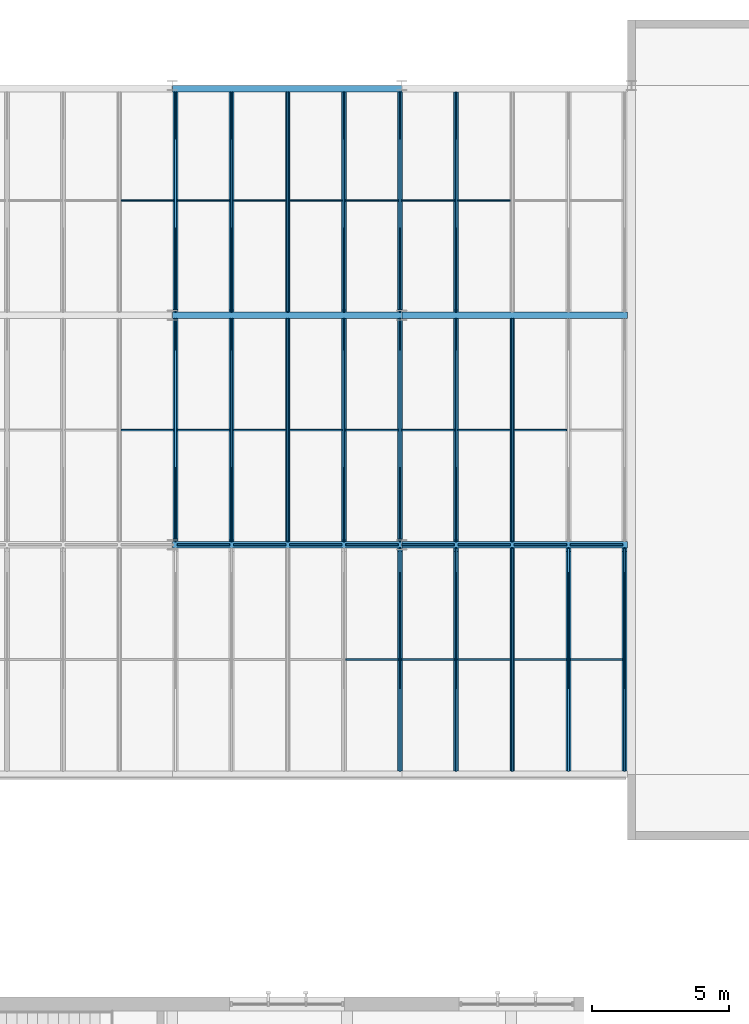
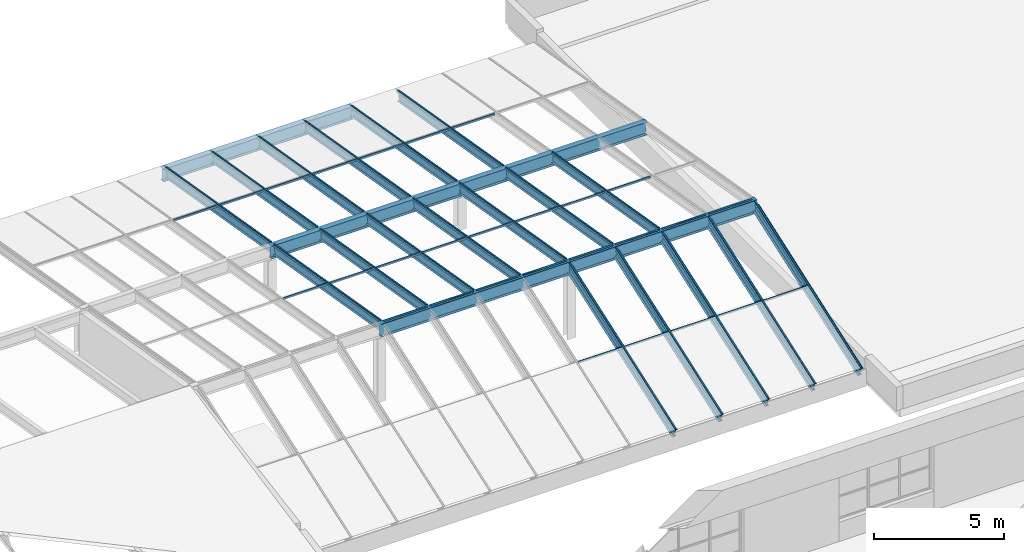
# One storey, part 27 of 60: 46 members, 23 beams, 2 elements without a shape of their own.
"""IFC4 building model written with IfcOpenShell, lengths in metres."""

from ifc_helpers import new_model, si_unit, direction, frame, origin, origin_2d, place, context, subcontext, project, spatial, rectangle, i_section, extrude, material, material_profile, profile_set, type_object, element, aggregate, save


model = new_model("IFC4")

# Units and contexts
model_context = context("Model", 3, precision=1e-05, world=origin(), true_north=direction((0.0, 1.0)))
body_context = subcontext(model_context, "Body", "Model", "MODEL_VIEW")
ifc_project = project(units=[si_unit("LENGTHUNIT", "METRE"), si_unit("AREAUNIT", "SQUARE_METRE"), si_unit("VOLUMEUNIT", "CUBIC_METRE"), si_unit("PLANEANGLEUNIT", "RADIAN"), si_unit("MASSUNIT", "GRAM", prefix="KILO")], contexts=[model_context])

# Site, building, storey
site_placement = place(None, origin())
site = spatial("IfcSite", under=ifc_project, at=site_placement, CompositionType="ELEMENT")
building_placement = place(site_placement, origin())
building = spatial("IfcBuilding", under=site, at=building_placement, Name="Ljudholm Concert House", CompositionType="ELEMENT")
storey_placement = place(building_placement, frame((0.0, 0.0, 15.0)))
storey = spatial("IfcBuildingStorey", under=building, at=storey_placement, Name="L03", CompositionType="ELEMENT", Elevation=15.0)

# Curtain wall, members
ifc_material_1 = material(Name="Aluminium roof glazing with impact-rated laminated glass", Category="aluminium")
curtain_wall_type = type_object("IfcCurtainWallType", Name="GLAZED LANTERN ROOF", PredefinedType="NOTDEFINED", material=ifc_material_1)
curtain_wall_1_placement = place(storey_placement, origin())
curtain_wall_1 = element("IfcCurtainWall", 1, at=curtain_wall_1_placement, inside=storey, type_object=curtain_wall_type, Name="Glazed lantern roof", PredefinedType="NOTDEFINED")
ifc_material_2 = material(Name="Aluminium extrusion", Category="aluminium")
ifc_material_profile_1 = material_profile(ifc_material_2, rectangle(XDim=0.06005859375, YDim=0.05810546875, at=origin_2d()), Name="LANTERN GLAZING BAR 60x58")
ifc_profile_set_1 = profile_set([ifc_material_profile_1], Name="Aluminium extrusion")
member_type_1 = type_object("IfcMemberType", Name="LANTERN GLAZING BAR 60x58", PredefinedType="MULLION", material=ifc_profile_set_1)
member_1_placement = place(storey_placement, frame((45.933349609375, 104.919921875, 0.681640625), z_axis=(0.0, 0.943155877685, 0.332350703907), x_axis=(-1.0, 0.0, 0.0)))
member_1 = element("IfcMember", 2, at=member_1_placement, type_object=member_type_1, Name="Glazing bar", PredefinedType="MULLION", context=body_context, shape_type="SweptSolid", body=[
    extrude(rectangle(XDim=0.06005859375, YDim=0.05810546875, at=origin_2d()), origin(), (0.0, 0.0, 1.0), 8.65185546875),
])
member_2_placement = place(storey_placement, frame((47.987548828125, 104.919921875, 0.681640625), z_axis=(0.0, 0.943155877685, 0.332350703907), x_axis=(-1.0, 0.0, 0.0)))
member_2 = element("IfcMember", 3, at=member_2_placement, type_object=member_type_1, Name="Glazing bar", PredefinedType="MULLION", context=body_context, shape_type="SweptSolid", body=[
    extrude(rectangle(XDim=0.06005859375, YDim=0.05810546875, at=origin_2d()), origin(), (0.0, 0.0, 1.0), 8.65185546875),
])
member_3_placement = place(storey_placement, frame((50.041748046875, 104.919921875, 0.681640625), z_axis=(0.0, 0.943155877685, 0.332350703907), x_axis=(-1.0, 0.0, 0.0)))
member_3 = element("IfcMember", 4, at=member_3_placement, type_object=member_type_1, Name="Glazing bar", PredefinedType="MULLION", context=body_context, shape_type="SweptSolid", body=[
    extrude(rectangle(XDim=0.06005859375, YDim=0.05810546875, at=origin_2d()), origin(), (0.0, 0.0, 1.0), 8.65185546875),
])
member_4_placement = place(storey_placement, frame((52.095947265625, 104.919921875, 0.681640625), z_axis=(0.0, 0.943155877685, 0.332350703907), x_axis=(-1.0, 0.0, 0.0)))
member_4 = element("IfcMember", 5, at=member_4_placement, type_object=member_type_1, Name="Glazing bar", PredefinedType="MULLION", context=body_context, shape_type="SweptSolid", body=[
    extrude(rectangle(XDim=0.06005859375, YDim=0.05810546875, at=origin_2d()), origin(), (0.0, 0.0, 1.0), 8.65185546875),
])
member_5_placement = place(storey_placement, frame((54.14990234375, 104.919921875, 0.681640625), z_axis=(0.0, 0.943155877685, 0.332350703907), x_axis=(-1.0, 0.0, 0.0)))
member_5 = element("IfcMember", 6, at=member_5_placement, type_object=member_type_1, Name="Glazing bar", PredefinedType="MULLION", context=body_context, shape_type="SweptSolid", body=[
    extrude(rectangle(XDim=0.06005859375, YDim=0.05810546875, at=origin_2d()), origin(), (0.0, 0.0, 1.0), 8.65185546875),
])

curtain_wall_2_placement = place(storey_placement, origin())
curtain_wall_2 = element("IfcCurtainWall", 7, at=curtain_wall_2_placement, inside=storey, type_object=curtain_wall_type, Name="Glazed lantern roof", PredefinedType="NOTDEFINED")
member_6_placement = place(storey_placement, frame((37.716552734375, 113.320068359375, 3.580078125), z_axis=(0.0, 0.985738215481, -0.168285978444), x_axis=(-1.0, 0.0, 0.0)))
member_6 = element("IfcMember", 8, at=member_6_placement, type_object=member_type_1, Name="Glazing bar", PredefinedType="MULLION", context=body_context, shape_type="SweptSolid", body=[
    extrude(rectangle(XDim=0.06005859375, YDim=0.05810546875, at=origin_2d()), origin(), (0.0, 0.0, 1.0), 8.278076171875),
])
member_7_placement = place(storey_placement, frame((39.770751953125, 113.320068359375, 3.580078125), z_axis=(0.0, 0.985738215481, -0.168285978444), x_axis=(-1.0, 0.0, 0.0)))
member_7 = element("IfcMember", 9, at=member_7_placement, type_object=member_type_1, Name="Glazing bar", PredefinedType="MULLION", context=body_context, shape_type="SweptSolid", body=[
    extrude(rectangle(XDim=0.06005859375, YDim=0.05810546875, at=origin_2d()), origin(), (0.0, 0.0, 1.0), 8.278076171875),
])
member_8_placement = place(storey_placement, frame((41.824951171875, 113.320068359375, 3.580078125), z_axis=(0.0, 0.985738215481, -0.168285978444), x_axis=(-1.0, 0.0, 0.0)))
member_8 = element("IfcMember", 10, at=member_8_placement, type_object=member_type_1, Name="Glazing bar", PredefinedType="MULLION", context=body_context, shape_type="SweptSolid", body=[
    extrude(rectangle(XDim=0.06005859375, YDim=0.05810546875, at=origin_2d()), origin(), (0.0, 0.0, 1.0), 8.278076171875),
])
member_9_placement = place(storey_placement, frame((43.879150390625, 113.320068359375, 3.580078125), z_axis=(0.0, 0.985738215481, -0.168285978444), x_axis=(-1.0, 0.0, 0.0)))
member_9 = element("IfcMember", 11, at=member_9_placement, type_object=member_type_1, Name="Glazing bar", PredefinedType="MULLION", context=body_context, shape_type="SweptSolid", body=[
    extrude(rectangle(XDim=0.06005859375, YDim=0.05810546875, at=origin_2d()), origin(), (0.0, 0.0, 1.0), 8.278076171875),
])
member_10_placement = place(storey_placement, frame((45.933349609375, 113.320068359375, 3.580078125), z_axis=(0.0, 0.985738215481, -0.168285978444), x_axis=(-1.0, 0.0, 0.0)))
member_10 = element("IfcMember", 12, at=member_10_placement, type_object=member_type_1, Name="Glazing bar", PredefinedType="MULLION", context=body_context, shape_type="SweptSolid", body=[
    extrude(rectangle(XDim=0.06005859375, YDim=0.05810546875, at=origin_2d()), origin(), (0.0, 0.0, 1.0), 8.278076171875),
])
member_11_placement = place(storey_placement, frame((47.987548828125, 113.320068359375, 3.580078125), z_axis=(0.0, 0.985738215481, -0.168285978444), x_axis=(-1.0, 0.0, 0.0)))
member_11 = element("IfcMember", 13, at=member_11_placement, type_object=member_type_1, Name="Glazing bar", PredefinedType="MULLION", context=body_context, shape_type="SweptSolid", body=[
    extrude(rectangle(XDim=0.06005859375, YDim=0.05810546875, at=origin_2d()), origin(), (0.0, 0.0, 1.0), 8.278076171875),
])
member_12_placement = place(storey_placement, frame((50.041748046875, 113.320068359375, 3.580078125), z_axis=(0.0, 0.985738215481, -0.168285978444), x_axis=(-1.0, 0.0, 0.0)))
member_12 = element("IfcMember", 14, at=member_12_placement, type_object=member_type_1, Name="Glazing bar", PredefinedType="MULLION", context=body_context, shape_type="SweptSolid", body=[
    extrude(rectangle(XDim=0.06005859375, YDim=0.05810546875, at=origin_2d()), origin(), (0.0, 0.0, 1.0), 8.278076171875),
])
member_13_placement = place(storey_placement, frame((37.716552734375, 121.719970703125, 2.14599609375), z_axis=(0.0, 0.985741145728, -0.168268813569), x_axis=(-1.0, 0.0, 0.0)))
member_13 = element("IfcMember", 15, at=member_13_placement, type_object=member_type_1, Name="Glazing bar", PredefinedType="MULLION", context=body_context, shape_type="SweptSolid", body=[
    extrude(rectangle(XDim=0.06005859375, YDim=0.05810546875, at=origin_2d()), origin(), (0.0, 0.0, 1.0), 8.161376953125),
])
member_14_placement = place(storey_placement, frame((39.770751953125, 121.719970703125, 2.14599609375), z_axis=(0.0, 0.985741145728, -0.168268813569), x_axis=(-1.0, 0.0, 0.0)))
member_14 = element("IfcMember", 16, at=member_14_placement, type_object=member_type_1, Name="Glazing bar", PredefinedType="MULLION", context=body_context, shape_type="SweptSolid", body=[
    extrude(rectangle(XDim=0.06005859375, YDim=0.05810546875, at=origin_2d()), origin(), (0.0, 0.0, 1.0), 8.161376953125),
])
member_15_placement = place(storey_placement, frame((41.824951171875, 121.719970703125, 2.14599609375), z_axis=(0.0, 0.985741145728, -0.168268813569), x_axis=(-1.0, 0.0, 0.0)))
member_15 = element("IfcMember", 17, at=member_15_placement, type_object=member_type_1, Name="Glazing bar", PredefinedType="MULLION", context=body_context, shape_type="SweptSolid", body=[
    extrude(rectangle(XDim=0.06005859375, YDim=0.05810546875, at=origin_2d()), origin(), (0.0, 0.0, 1.0), 8.161376953125),
])
member_16_placement = place(storey_placement, frame((43.879150390625, 121.719970703125, 2.14599609375), z_axis=(0.0, 0.985741145728, -0.168268813569), x_axis=(-1.0, 0.0, 0.0)))
member_16 = element("IfcMember", 18, at=member_16_placement, type_object=member_type_1, Name="Glazing bar", PredefinedType="MULLION", context=body_context, shape_type="SweptSolid", body=[
    extrude(rectangle(XDim=0.06005859375, YDim=0.05810546875, at=origin_2d()), origin(), (0.0, 0.0, 1.0), 8.161376953125),
])
member_17_placement = place(storey_placement, frame((45.933349609375, 121.719970703125, 2.14599609375), z_axis=(0.0, 0.985741145728, -0.168268813569), x_axis=(-1.0, 0.0, 0.0)))
member_17 = element("IfcMember", 19, at=member_17_placement, type_object=member_type_1, Name="Glazing bar", PredefinedType="MULLION", context=body_context, shape_type="SweptSolid", body=[
    extrude(rectangle(XDim=0.06005859375, YDim=0.05810546875, at=origin_2d()), origin(), (0.0, 0.0, 1.0), 8.161376953125),
])
member_18_placement = place(storey_placement, frame((47.987548828125, 121.719970703125, 2.14599609375), z_axis=(0.0, 0.985741145728, -0.168268813569), x_axis=(-1.0, 0.0, 0.0)))
member_18 = element("IfcMember", 20, at=member_18_placement, type_object=member_type_1, Name="Glazing bar", PredefinedType="MULLION", context=body_context, shape_type="SweptSolid", body=[
    extrude(rectangle(XDim=0.06005859375, YDim=0.05810546875, at=origin_2d()), origin(), (0.0, 0.0, 1.0), 8.161376953125),
])
ifc_material_3 = material(Name="Aluminium extrusion", Category="aluminium")
ifc_material_profile_2 = material_profile(ifc_material_3, rectangle(XDim=0.06005859375, YDim=0.030029296875, at=origin_2d()), Name="LANTERN RIDGE CAP 60x30")
ifc_profile_set_2 = profile_set([ifc_material_profile_2], Name="Aluminium extrusion")
member_type_2 = type_object("IfcMemberType", Name="LANTERN RIDGE CAP 60x30", PredefinedType="USERDEFINED", material=ifc_profile_set_2)
member_19_placement = place(storey_placement, frame((37.787109375, 113.199951171875, 3.5830078125), z_axis=(1.0, 0.0, 0.0), x_axis=(0.0, 1.0, 0.0)))
member_19 = element("IfcMember", 21, at=member_19_placement, type_object=member_type_2, Name="Lantern ridge cap", ObjectType="TRANSOM", PredefinedType="USERDEFINED", context=body_context, shape_type="SweptSolid", body=[
    extrude(rectangle(XDim=0.06005859375, YDim=0.030029296875, at=origin_2d()), origin(), (0.0, 0.0, 1.0), 1.913330078125),
])
member_20_placement = place(storey_placement, frame((39.84130859375, 113.199951171875, 3.5830078125), z_axis=(1.0, 0.0, 0.0), x_axis=(0.0, 1.0, 0.0)))
member_20 = element("IfcMember", 22, at=member_20_placement, type_object=member_type_2, Name="Lantern ridge cap", ObjectType="TRANSOM", PredefinedType="USERDEFINED", context=body_context, shape_type="SweptSolid", body=[
    extrude(rectangle(XDim=0.06005859375, YDim=0.030029296875, at=origin_2d()), origin(), (0.0, 0.0, 1.0), 1.9130859375),
])
member_21_placement = place(storey_placement, frame((41.8955078125, 113.199951171875, 3.5830078125), z_axis=(1.0, 0.0, 0.0), x_axis=(0.0, 1.0, 0.0)))
member_21 = element("IfcMember", 23, at=member_21_placement, type_object=member_type_2, Name="Lantern ridge cap", ObjectType="TRANSOM", PredefinedType="USERDEFINED", context=body_context, shape_type="SweptSolid", body=[
    extrude(rectangle(XDim=0.06005859375, YDim=0.030029296875, at=origin_2d()), origin(), (0.0, 0.0, 1.0), 1.9130859375),
])
member_22_placement = place(storey_placement, frame((43.94970703125, 113.199951171875, 3.5830078125), z_axis=(1.0, 0.0, 0.0), x_axis=(0.0, 1.0, 0.0)))
member_22 = element("IfcMember", 24, at=member_22_placement, type_object=member_type_2, Name="Lantern ridge cap", ObjectType="TRANSOM", PredefinedType="USERDEFINED", context=body_context, shape_type="SweptSolid", body=[
    extrude(rectangle(XDim=0.06005859375, YDim=0.030029296875, at=origin_2d()), origin(), (0.0, 0.0, 1.0), 1.9130859375),
])
member_23_placement = place(storey_placement, frame((46.00390625, 113.199951171875, 3.5830078125), z_axis=(1.0, 0.0, 0.0), x_axis=(0.0, 1.0, 0.0)))
member_23 = element("IfcMember", 25, at=member_23_placement, type_object=member_type_2, Name="Lantern ridge cap", ObjectType="TRANSOM", PredefinedType="USERDEFINED", context=body_context, shape_type="SweptSolid", body=[
    extrude(rectangle(XDim=0.06005859375, YDim=0.030029296875, at=origin_2d()), origin(), (0.0, 0.0, 1.0), 1.9130859375),
])
member_24_placement = place(storey_placement, frame((48.05810546875, 113.199951171875, 3.5830078125), z_axis=(1.0, 0.0, 0.0), x_axis=(0.0, 1.0, 0.0)))
member_24 = element("IfcMember", 26, at=member_24_placement, type_object=member_type_2, Name="Lantern ridge cap", ObjectType="TRANSOM", PredefinedType="USERDEFINED", context=body_context, shape_type="SweptSolid", body=[
    extrude(rectangle(XDim=0.06005859375, YDim=0.030029296875, at=origin_2d()), origin(), (0.0, 0.0, 1.0), 1.9130859375),
])
member_25_placement = place(storey_placement, frame((50.112060546875, 113.199951171875, 3.5830078125), z_axis=(1.0, 0.0, 0.0), x_axis=(0.0, 1.0, 0.0)))
member_25 = element("IfcMember", 27, at=member_25_placement, type_object=member_type_2, Name="Lantern ridge cap", ObjectType="TRANSOM", PredefinedType="USERDEFINED", context=body_context, shape_type="SweptSolid", body=[
    extrude(rectangle(XDim=0.06005859375, YDim=0.030029296875, at=origin_2d()), origin(), (0.0, 0.0, 1.0), 1.913330078125),
])
member_26_placement = place(storey_placement, frame((52.166259765625, 113.199951171875, 3.5830078125), z_axis=(1.0, 0.0, 0.0), x_axis=(0.0, 1.0, 0.0)))
member_26 = element("IfcMember", 28, at=member_26_placement, type_object=member_type_2, Name="Lantern ridge cap", ObjectType="TRANSOM", PredefinedType="USERDEFINED", context=body_context, shape_type="SweptSolid", body=[
    extrude(rectangle(XDim=0.06005859375, YDim=0.030029296875, at=origin_2d()), origin(), (0.0, 0.0, 1.0), 1.913330078125),
])

# Member
ifc_material_4 = material(Name="Aluminium extrusion", Category="aluminium")
ifc_material_profile_3 = material_profile(ifc_material_4, rectangle(XDim=0.06005859375, YDim=0.080078125, at=origin_2d()), Name="LANTERN TRANSOM 60x80")
ifc_profile_set_3 = profile_set([ifc_material_profile_3], Name="Aluminium extrusion")
member_type_3 = type_object("IfcMemberType", Name="LANTERN TRANSOM 60x80", PredefinedType="USERDEFINED", material=ifc_profile_set_3)
member_27_placement = place(storey_placement, frame((43.94970703125, 109.0, 2.05029296875), z_axis=(1.0, 0.0, 0.0), x_axis=(0.0, 1.0, 0.0)))
member_27 = element("IfcMember", 29, at=member_27_placement, type_object=member_type_3, Name="Lantern transom", ObjectType="TRANSOM", PredefinedType="USERDEFINED", context=body_context, shape_type="SweptSolid", body=[
    extrude(rectangle(XDim=0.06005859375, YDim=0.080078125, at=origin_2d()), origin(), (0.0, 0.0, 1.0), 1.9130859375),
])

member_28_placement = place(storey_placement, frame((46.00390625, 109.0, 2.05029296875), z_axis=(1.0, 0.0, 0.0), x_axis=(0.0, 1.0, 0.0)))
member_28 = element("IfcMember", 30, at=member_28_placement, type_object=member_type_3, Name="Lantern transom", ObjectType="TRANSOM", PredefinedType="USERDEFINED", context=body_context, shape_type="SweptSolid", body=[
    extrude(rectangle(XDim=0.06005859375, YDim=0.080078125, at=origin_2d()), origin(), (0.0, 0.0, 1.0), 1.9130859375),
])

member_29_placement = place(storey_placement, frame((48.05810546875, 109.0, 2.05029296875), z_axis=(1.0, 0.0, 0.0), x_axis=(0.0, 1.0, 0.0)))
member_29 = element("IfcMember", 31, at=member_29_placement, type_object=member_type_3, Name="Lantern transom", ObjectType="TRANSOM", PredefinedType="USERDEFINED", context=body_context, shape_type="SweptSolid", body=[
    extrude(rectangle(XDim=0.06005859375, YDim=0.080078125, at=origin_2d()), origin(), (0.0, 0.0, 1.0), 1.9130859375),
])

member_30_placement = place(storey_placement, frame((50.112060546875, 109.0, 2.05029296875), z_axis=(1.0, 0.0, 0.0), x_axis=(0.0, 1.0, 0.0)))
member_30 = element("IfcMember", 32, at=member_30_placement, type_object=member_type_3, Name="Lantern transom", ObjectType="TRANSOM", PredefinedType="USERDEFINED", context=body_context, shape_type="SweptSolid", body=[
    extrude(rectangle(XDim=0.06005859375, YDim=0.080078125, at=origin_2d()), origin(), (0.0, 0.0, 1.0), 1.913330078125),
])

member_31_placement = place(storey_placement, frame((52.166259765625, 109.0, 2.05029296875), z_axis=(1.0, 0.0, 0.0), x_axis=(0.0, 1.0, 0.0)))
member_31 = element("IfcMember", 33, at=member_31_placement, type_object=member_type_3, Name="Lantern transom", ObjectType="TRANSOM", PredefinedType="USERDEFINED", context=body_context, shape_type="SweptSolid", body=[
    extrude(rectangle(XDim=0.06005859375, YDim=0.080078125, at=origin_2d()), origin(), (0.0, 0.0, 1.0), 1.913330078125),
])

aggregate(curtain_wall_1, [member_1, member_2, member_3, member_4, member_5, member_27, member_28, member_29, member_30, member_31])

member_32_placement = place(storey_placement, frame((35.73291015625, 117.39990234375, 2.814697265625), z_axis=(1.0, 0.0, 0.0), x_axis=(0.0, 1.0, 0.0)))
member_32 = element("IfcMember", 34, at=member_32_placement, type_object=member_type_3, Name="Lantern transom", ObjectType="TRANSOM", PredefinedType="USERDEFINED", context=body_context, shape_type="SweptSolid", body=[
    extrude(rectangle(XDim=0.06005859375, YDim=0.080078125, at=origin_2d()), origin(), (0.0, 0.0, 1.0), 1.913330078125),
])

member_33_placement = place(storey_placement, frame((37.787109375, 117.39990234375, 2.814697265625), z_axis=(1.0, 0.0, 0.0), x_axis=(0.0, 1.0, 0.0)))
member_33 = element("IfcMember", 35, at=member_33_placement, type_object=member_type_3, Name="Lantern transom", ObjectType="TRANSOM", PredefinedType="USERDEFINED", context=body_context, shape_type="SweptSolid", body=[
    extrude(rectangle(XDim=0.06005859375, YDim=0.080078125, at=origin_2d()), origin(), (0.0, 0.0, 1.0), 1.913330078125),
])

member_34_placement = place(storey_placement, frame((39.84130859375, 117.39990234375, 2.814697265625), z_axis=(1.0, 0.0, 0.0), x_axis=(0.0, 1.0, 0.0)))
member_34 = element("IfcMember", 36, at=member_34_placement, type_object=member_type_3, Name="Lantern transom", ObjectType="TRANSOM", PredefinedType="USERDEFINED", context=body_context, shape_type="SweptSolid", body=[
    extrude(rectangle(XDim=0.06005859375, YDim=0.080078125, at=origin_2d()), origin(), (0.0, 0.0, 1.0), 1.9130859375),
])

member_35_placement = place(storey_placement, frame((41.8955078125, 117.39990234375, 2.814697265625), z_axis=(1.0, 0.0, 0.0), x_axis=(0.0, 1.0, 0.0)))
member_35 = element("IfcMember", 37, at=member_35_placement, type_object=member_type_3, Name="Lantern transom", ObjectType="TRANSOM", PredefinedType="USERDEFINED", context=body_context, shape_type="SweptSolid", body=[
    extrude(rectangle(XDim=0.06005859375, YDim=0.080078125, at=origin_2d()), origin(), (0.0, 0.0, 1.0), 1.9130859375),
])

member_36_placement = place(storey_placement, frame((43.94970703125, 117.39990234375, 2.814697265625), z_axis=(1.0, 0.0, 0.0), x_axis=(0.0, 1.0, 0.0)))
member_36 = element("IfcMember", 38, at=member_36_placement, type_object=member_type_3, Name="Lantern transom", ObjectType="TRANSOM", PredefinedType="USERDEFINED", context=body_context, shape_type="SweptSolid", body=[
    extrude(rectangle(XDim=0.06005859375, YDim=0.080078125, at=origin_2d()), origin(), (0.0, 0.0, 1.0), 1.9130859375),
])

member_37_placement = place(storey_placement, frame((46.00390625, 117.39990234375, 2.814697265625), z_axis=(1.0, 0.0, 0.0), x_axis=(0.0, 1.0, 0.0)))
member_37 = element("IfcMember", 39, at=member_37_placement, type_object=member_type_3, Name="Lantern transom", ObjectType="TRANSOM", PredefinedType="USERDEFINED", context=body_context, shape_type="SweptSolid", body=[
    extrude(rectangle(XDim=0.06005859375, YDim=0.080078125, at=origin_2d()), origin(), (0.0, 0.0, 1.0), 1.9130859375),
])

member_38_placement = place(storey_placement, frame((48.05810546875, 117.39990234375, 2.814697265625), z_axis=(1.0, 0.0, 0.0), x_axis=(0.0, 1.0, 0.0)))
member_38 = element("IfcMember", 40, at=member_38_placement, type_object=member_type_3, Name="Lantern transom", ObjectType="TRANSOM", PredefinedType="USERDEFINED", context=body_context, shape_type="SweptSolid", body=[
    extrude(rectangle(XDim=0.06005859375, YDim=0.080078125, at=origin_2d()), origin(), (0.0, 0.0, 1.0), 1.9130859375),
])

member_39_placement = place(storey_placement, frame((50.112060546875, 117.39990234375, 2.814697265625), z_axis=(1.0, 0.0, 0.0), x_axis=(0.0, 1.0, 0.0)))
member_39 = element("IfcMember", 41, at=member_39_placement, type_object=member_type_3, Name="Lantern transom", ObjectType="TRANSOM", PredefinedType="USERDEFINED", context=body_context, shape_type="SweptSolid", body=[
    extrude(rectangle(XDim=0.06005859375, YDim=0.080078125, at=origin_2d()), origin(), (0.0, 0.0, 1.0), 1.913330078125),
])

member_40_placement = place(storey_placement, frame((35.73291015625, 125.800048828125, 1.380615234375), z_axis=(1.0, 0.0, 0.0), x_axis=(0.0, 1.0, 0.0)))
member_40 = element("IfcMember", 42, at=member_40_placement, type_object=member_type_3, Name="Lantern transom", ObjectType="TRANSOM", PredefinedType="USERDEFINED", context=body_context, shape_type="SweptSolid", body=[
    extrude(rectangle(XDim=0.06005859375, YDim=0.080078125, at=origin_2d()), origin(), (0.0, 0.0, 1.0), 1.913330078125),
])

member_41_placement = place(storey_placement, frame((37.787109375, 125.800048828125, 1.380615234375), z_axis=(1.0, 0.0, 0.0), x_axis=(0.0, 1.0, 0.0)))
member_41 = element("IfcMember", 43, at=member_41_placement, type_object=member_type_3, Name="Lantern transom", ObjectType="TRANSOM", PredefinedType="USERDEFINED", context=body_context, shape_type="SweptSolid", body=[
    extrude(rectangle(XDim=0.06005859375, YDim=0.080078125, at=origin_2d()), origin(), (0.0, 0.0, 1.0), 1.913330078125),
])

member_42_placement = place(storey_placement, frame((39.84130859375, 125.800048828125, 1.380615234375), z_axis=(1.0, 0.0, 0.0), x_axis=(0.0, 1.0, 0.0)))
member_42 = element("IfcMember", 44, at=member_42_placement, type_object=member_type_3, Name="Lantern transom", ObjectType="TRANSOM", PredefinedType="USERDEFINED", context=body_context, shape_type="SweptSolid", body=[
    extrude(rectangle(XDim=0.06005859375, YDim=0.080078125, at=origin_2d()), origin(), (0.0, 0.0, 1.0), 1.9130859375),
])

member_43_placement = place(storey_placement, frame((41.8955078125, 125.800048828125, 1.380615234375), z_axis=(1.0, 0.0, 0.0), x_axis=(0.0, 1.0, 0.0)))
member_43 = element("IfcMember", 45, at=member_43_placement, type_object=member_type_3, Name="Lantern transom", ObjectType="TRANSOM", PredefinedType="USERDEFINED", context=body_context, shape_type="SweptSolid", body=[
    extrude(rectangle(XDim=0.06005859375, YDim=0.080078125, at=origin_2d()), origin(), (0.0, 0.0, 1.0), 1.9130859375),
])

member_44_placement = place(storey_placement, frame((43.94970703125, 125.800048828125, 1.380615234375), z_axis=(1.0, 0.0, 0.0), x_axis=(0.0, 1.0, 0.0)))
member_44 = element("IfcMember", 46, at=member_44_placement, type_object=member_type_3, Name="Lantern transom", ObjectType="TRANSOM", PredefinedType="USERDEFINED", context=body_context, shape_type="SweptSolid", body=[
    extrude(rectangle(XDim=0.06005859375, YDim=0.080078125, at=origin_2d()), origin(), (0.0, 0.0, 1.0), 1.9130859375),
])

member_45_placement = place(storey_placement, frame((46.00390625, 125.800048828125, 1.380615234375), z_axis=(1.0, 0.0, 0.0), x_axis=(0.0, 1.0, 0.0)))
member_45 = element("IfcMember", 47, at=member_45_placement, type_object=member_type_3, Name="Lantern transom", ObjectType="TRANSOM", PredefinedType="USERDEFINED", context=body_context, shape_type="SweptSolid", body=[
    extrude(rectangle(XDim=0.06005859375, YDim=0.080078125, at=origin_2d()), origin(), (0.0, 0.0, 1.0), 1.9130859375),
])

member_46_placement = place(storey_placement, frame((48.05810546875, 125.800048828125, 1.380615234375), z_axis=(1.0, 0.0, 0.0), x_axis=(0.0, 1.0, 0.0)))
member_46 = element("IfcMember", 48, at=member_46_placement, type_object=member_type_3, Name="Lantern transom", ObjectType="TRANSOM", PredefinedType="USERDEFINED", context=body_context, shape_type="SweptSolid", body=[
    extrude(rectangle(XDim=0.06005859375, YDim=0.080078125, at=origin_2d()), origin(), (0.0, 0.0, 1.0), 1.9130859375),
])

aggregate(curtain_wall_2, [member_6, member_7, member_8, member_9, member_10, member_11, member_12, member_32, member_33, member_34, member_35, member_36, member_37, member_38, member_39, member_13, member_14, member_15, member_16, member_17, member_18, member_40, member_41, member_42, member_43, member_44, member_45, member_46, member_19, member_20, member_21, member_22, member_23, member_24, member_25, member_26])

# Beams
ifc_material_5 = material(Name="Steel ASTM A992", Category="steel")
ifc_material_profile_4 = material_profile(ifc_material_5, i_section(OverallWidth=0.177734375, OverallDepth=0.406494140625, WebThickness=0.0078125, FlangeThickness=0.012939453125, FilletRadius=0.01025390625, at=origin_2d()), Name="W16X40")
ifc_profile_set_4 = profile_set([ifc_material_profile_4], Name="Steel ASTM A992")
beam_type_1 = type_object("IfcBeamType", Name="STEEL BEAM W16X40", PredefinedType="BEAM", material=ifc_profile_set_4)
for number, where, z_axis, x_axis, name in (
    (49, (45.933349609375, 104.981689453125, 0.458984375), (0.0, 0.943162118982, 0.332332991618), (-1.0, 0.0, 0.0), "Roof rafter"),
    (50, (47.987548828125, 104.981689453125, 0.458984375), (0.0, 0.943162118982, 0.332332991618), (-1.0, 0.0, 0.0), "Roof rafter"),
    (51, (50.041748046875, 104.981689453125, 0.458984375), (0.0, 0.943162118982, 0.332332991618), (-1.0, 0.0, 0.0), "Roof rafter"),
    (52, (52.095947265625, 104.981689453125, 0.458984375), (0.0, 0.943162118982, 0.332332991618), (-1.0, 0.0, 0.0), "Roof rafter"),
    (53, (54.14990234375, 104.981689453125, 0.458984375), (0.0, 0.943162118982, 0.332332991618), (-1.0, 0.0, 0.0), "Roof rafter"),
):
    element("IfcBeam", number, at=place(storey_placement, frame(where, z_axis=z_axis, x_axis=x_axis)), inside=storey, type_object=beam_type_1, Name=name, PredefinedType="BEAM", context=body_context, shape_type="SweptSolid", body=[
        extrude(i_section(OverallWidth=0.177734375, OverallDepth=0.406494140625, WebThickness=0.0078125, FlangeThickness=0.012939453125, FilletRadius=0.01025390625, at=origin_2d()), origin(), (0.0, 0.0, 1.0), 8.52099609375),
    ])
beam_1_placement = place(storey_placement, frame((37.716552734375, 113.377685546875, 3.340087890625), z_axis=(0.0, 0.985638700092, -0.16886785627), x_axis=(-1.0, 0.0, 0.0)))
element("IfcBeam", 54, at=beam_1_placement, inside=storey, type_object=beam_type_1, Name="Roof rafter", PredefinedType="BEAM", context=body_context, shape_type="SweptSolid", body=[
    extrude(i_section(OverallWidth=0.177734375, OverallDepth=0.406494140625, WebThickness=0.0078125, FlangeThickness=0.012939453125, FilletRadius=0.01025390625, at=origin_2d()), origin(), (0.0, 0.0, 1.0), 8.191650390625),
])
for number, where, z_axis, x_axis, name in (
    (55, (39.770751953125, 113.348388671875, 3.340087890625), (0.0, 0.985740150522, -0.168274643513), (-1.0, 0.0, 0.0), "Roof rafter"),
    (56, (41.824951171875, 113.348388671875, 3.340087890625), (0.0, 0.985740150522, -0.168274643513), (-1.0, 0.0, 0.0), "Roof rafter"),
    (57, (43.879150390625, 113.348388671875, 3.340087890625), (0.0, 0.985740150522, -0.168274643513), (-1.0, 0.0, 0.0), "Roof rafter"),
):
    element("IfcBeam", number, at=place(storey_placement, frame(where, z_axis=z_axis, x_axis=x_axis)), inside=storey, type_object=beam_type_1, Name=name, PredefinedType="BEAM", context=body_context, shape_type="SweptSolid", body=[
        extrude(i_section(OverallWidth=0.177734375, OverallDepth=0.406494140625, WebThickness=0.0078125, FlangeThickness=0.012939453125, FilletRadius=0.01025390625, at=origin_2d()), origin(), (0.0, 0.0, 1.0), 8.220458984375),
    ])
beam_2_placement = place(storey_placement, frame((45.933349609375, 113.377685546875, 3.340087890625), z_axis=(0.0, 0.985638700092, -0.16886785627), x_axis=(-1.0, 0.0, 0.0)))
element("IfcBeam", 58, at=beam_2_placement, inside=storey, type_object=beam_type_1, Name="Roof rafter", PredefinedType="BEAM", context=body_context, shape_type="SweptSolid", body=[
    extrude(i_section(OverallWidth=0.177734375, OverallDepth=0.406494140625, WebThickness=0.0078125, FlangeThickness=0.012939453125, FilletRadius=0.01025390625, at=origin_2d()), origin(), (0.0, 0.0, 1.0), 8.191650390625),
])
for number, where, z_axis, x_axis, name in (
    (59, (47.987548828125, 113.348388671875, 3.340087890625), (0.0, 0.985740150522, -0.168274643513), (-1.0, 0.0, 0.0), "Roof rafter"),
    (60, (50.041748046875, 113.348388671875, 3.340087890625), (0.0, 0.985740150522, -0.168274643513), (-1.0, 0.0, 0.0), "Roof rafter"),
):
    element("IfcBeam", number, at=place(storey_placement, frame(where, z_axis=z_axis, x_axis=x_axis)), inside=storey, type_object=beam_type_1, Name=name, PredefinedType="BEAM", context=body_context, shape_type="SweptSolid", body=[
        extrude(i_section(OverallWidth=0.177734375, OverallDepth=0.406494140625, WebThickness=0.0078125, FlangeThickness=0.012939453125, FilletRadius=0.01025390625, at=origin_2d()), origin(), (0.0, 0.0, 1.0), 8.220458984375),
    ])
beam_3_placement = place(storey_placement, frame((37.716552734375, 121.77783203125, 1.906005859375), z_axis=(0.0, 0.985639369483, -0.168863949157), x_axis=(-1.0, 0.0, 0.0)))
element("IfcBeam", 61, at=beam_3_placement, inside=storey, type_object=beam_type_1, Name="Roof rafter", PredefinedType="BEAM", context=body_context, shape_type="SweptSolid", body=[
    extrude(i_section(OverallWidth=0.177734375, OverallDepth=0.406494140625, WebThickness=0.0078125, FlangeThickness=0.012939453125, FilletRadius=0.01025390625, at=origin_2d()), origin(), (0.0, 0.0, 1.0), 8.07470703125),
])
for number, where, z_axis, x_axis, name in (
    (62, (39.770751953125, 121.74853515625, 1.906005859375), (0.0, 0.985742276271, -0.168262190561), (-1.0, 0.0, 0.0), "Roof rafter"),
    (63, (41.824951171875, 121.74853515625, 1.906005859375), (0.0, 0.985742276271, -0.168262190561), (-1.0, 0.0, 0.0), "Roof rafter"),
    (64, (43.879150390625, 121.74853515625, 1.906005859375), (0.0, 0.985742276271, -0.168262190561), (-1.0, 0.0, 0.0), "Roof rafter"),
):
    element("IfcBeam", number, at=place(storey_placement, frame(where, z_axis=z_axis, x_axis=x_axis)), inside=storey, type_object=beam_type_1, Name=name, PredefinedType="BEAM", context=body_context, shape_type="SweptSolid", body=[
        extrude(i_section(OverallWidth=0.177734375, OverallDepth=0.406494140625, WebThickness=0.0078125, FlangeThickness=0.012939453125, FilletRadius=0.01025390625, at=origin_2d()), origin(), (0.0, 0.0, 1.0), 8.103515625),
    ])
beam_4_placement = place(storey_placement, frame((45.933349609375, 121.77783203125, 1.906005859375), z_axis=(0.0, 0.985639369483, -0.168863949157), x_axis=(-1.0, 0.0, 0.0)))
element("IfcBeam", 65, at=beam_4_placement, inside=storey, type_object=beam_type_1, Name="Roof rafter", PredefinedType="BEAM", context=body_context, shape_type="SweptSolid", body=[
    extrude(i_section(OverallWidth=0.177734375, OverallDepth=0.406494140625, WebThickness=0.0078125, FlangeThickness=0.012939453125, FilletRadius=0.01025390625, at=origin_2d()), origin(), (0.0, 0.0, 1.0), 8.07470703125),
])
beam_5_placement = place(storey_placement, frame((47.987548828125, 121.74853515625, 1.906005859375), z_axis=(0.0, 0.985742276271, -0.168262190561), x_axis=(-1.0, 0.0, 0.0)))
element("IfcBeam", 66, at=beam_5_placement, inside=storey, type_object=beam_type_1, Name="Roof rafter", PredefinedType="BEAM", context=body_context, shape_type="SweptSolid", body=[
    extrude(i_section(OverallWidth=0.177734375, OverallDepth=0.406494140625, WebThickness=0.0078125, FlangeThickness=0.012939453125, FilletRadius=0.01025390625, at=origin_2d()), origin(), (0.0, 0.0, 1.0), 8.103515625),
])
ifc_material_6 = material(Name="Steel ASTM A992", Category="steel")
ifc_material_profile_5 = material_profile(ifc_material_6, i_section(OverallWidth=0.22900390625, OverallDepth=0.612060546875, WebThickness=0.011962890625, FlangeThickness=0.01953125, FilletRadius=0.0126953125, at=origin_2d()), Name="W24X84")
ifc_profile_set_5 = profile_set([ifc_material_profile_5], Name="Steel ASTM A992")
beam_type_2 = type_object("IfcBeamType", Name="STEEL BEAM W24X84", PredefinedType="BEAM", material=ifc_profile_set_5)
beam_6_placement = place(storey_placement, frame((37.60009765625, 113.199951171875, 3.265869140625), z_axis=(1.0, 0.0, 0.0), x_axis=(0.0, 1.0, 0.0)))
element("IfcBeam", 67, at=beam_6_placement, inside=storey, type_object=beam_type_2, Name="Roof girder", PredefinedType="BEAM", context=body_context, shape_type="SweptSolid", body=[
    extrude(i_section(OverallWidth=0.22900390625, OverallDepth=0.612060546875, WebThickness=0.011962890625, FlangeThickness=0.01953125, FilletRadius=0.0126953125, at=origin_2d()), origin(), (0.0, 0.0, 1.0), 8.39990234375),
])
beam_7_placement = place(storey_placement, frame((46.0, 113.199951171875, 3.265869140625), z_axis=(1.0, 0.0, 0.0), x_axis=(0.0, 1.0, 0.0)))
element("IfcBeam", 68, at=beam_7_placement, inside=storey, type_object=beam_type_2, Name="Roof girder", PredefinedType="BEAM", context=body_context, shape_type="SweptSolid", body=[
    extrude(i_section(OverallWidth=0.22900390625, OverallDepth=0.612060546875, WebThickness=0.011962890625, FlangeThickness=0.01953125, FilletRadius=0.0126953125, at=origin_2d()), origin(), (0.0, 0.0, 1.0), 8.25),
])
beam_8_placement = place(storey_placement, frame((37.60009765625, 121.60009765625, 1.83154296875), z_axis=(1.0, 0.0, 0.0), x_axis=(0.0, 1.0, 0.0)))
element("IfcBeam", 69, at=beam_8_placement, inside=storey, type_object=beam_type_2, Name="Roof girder", PredefinedType="BEAM", context=body_context, shape_type="SweptSolid", body=[
    extrude(i_section(OverallWidth=0.22900390625, OverallDepth=0.612060546875, WebThickness=0.011962890625, FlangeThickness=0.01953125, FilletRadius=0.0126953125, at=origin_2d()), origin(), (0.0, 0.0, 1.0), 8.39990234375),
])
beam_9_placement = place(storey_placement, frame((46.0, 121.60009765625, 1.83154296875), z_axis=(1.0, 0.0, 0.0), x_axis=(0.0, 1.0, 0.0)))
element("IfcBeam", 70, at=beam_9_placement, inside=storey, type_object=beam_type_2, Name="Roof girder", PredefinedType="BEAM", context=body_context, shape_type="SweptSolid", body=[
    extrude(i_section(OverallWidth=0.22900390625, OverallDepth=0.612060546875, WebThickness=0.011962890625, FlangeThickness=0.01953125, FilletRadius=0.0126953125, at=origin_2d()), origin(), (0.0, 0.0, 1.0), 8.25),
])
beam_10_placement = place(storey_placement, frame((37.60009765625, 129.885009765625, 0.417236328125), z_axis=(1.0, 0.0, 0.0), x_axis=(0.0, 1.0, 0.0)))
element("IfcBeam", 71, at=beam_10_placement, inside=storey, type_object=beam_type_2, Name="Roof girder", PredefinedType="BEAM", context=body_context, shape_type="SweptSolid", body=[
    extrude(i_section(OverallWidth=0.22900390625, OverallDepth=0.612060546875, WebThickness=0.011962890625, FlangeThickness=0.01953125, FilletRadius=0.0126953125, at=origin_2d()), origin(), (0.0, 0.0, 1.0), 8.39990234375),
])

save(model, "model.ifc")
